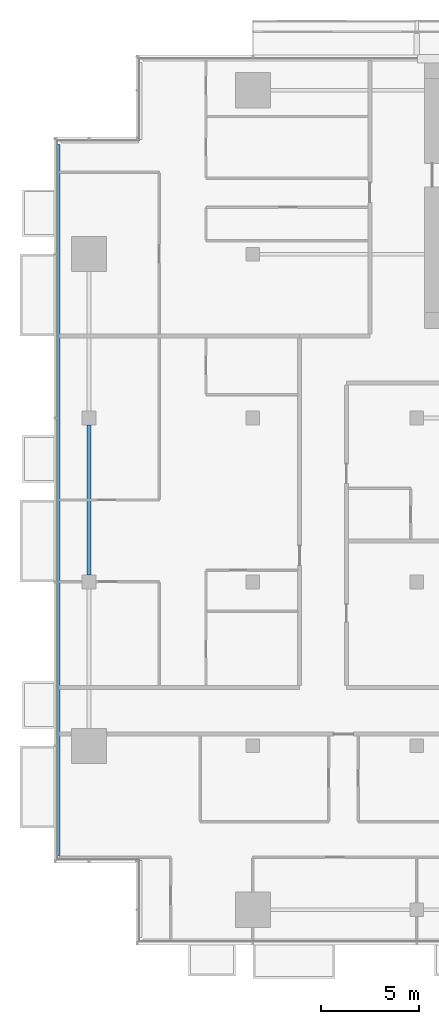
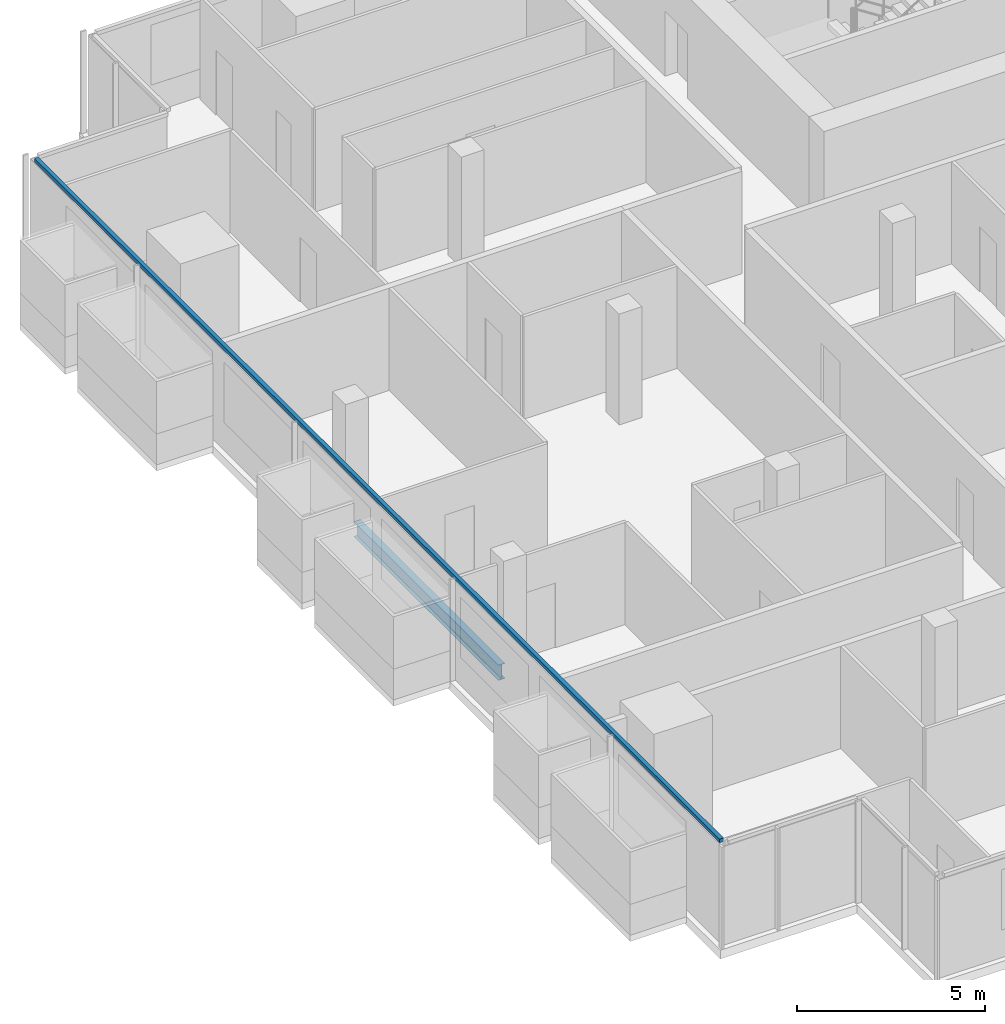
# One storey, part 3 of 28: 1 beam, 1 member, 1 element without a shape of its own.
"""IFC4 building model written with IfcOpenShell, lengths in metres."""

from ifc_helpers import new_model, si_unit, direction, frame, origin, origin_2d, place, context, subcontext, project, spatial, rectangle, i_section, extrude, material, material_profile, profile_set, type_object, element, aggregate, save


model = new_model("IFC4")

# Units and contexts
model_context = context("Model", 3, precision=1e-05, world=origin(), true_north=direction((0.0, 1.0)))
body_context = subcontext(model_context, "Body", "Model", "MODEL_VIEW")
ifc_project = project(units=[si_unit("LENGTHUNIT", "METRE"), si_unit("AREAUNIT", "SQUARE_METRE"), si_unit("VOLUMEUNIT", "CUBIC_METRE"), si_unit("PLANEANGLEUNIT", "RADIAN"), si_unit("MASSUNIT", "GRAM", prefix="KILO")], contexts=[model_context])

# Site, building, storey
site_placement = place(None, origin())
site = spatial("IfcSite", under=ifc_project, at=site_placement, CompositionType="ELEMENT")
building_placement = place(site_placement, origin())
building = spatial("IfcBuilding", under=site, at=building_placement, Name="Saffron Gate Tower", CompositionType="ELEMENT")
storey_placement = place(building_placement, frame((0.0, 0.0, 154.64990234375)))
storey = spatial("IfcBuildingStorey", under=building, at=storey_placement, Name="L37", CompositionType="ELEMENT", Elevation=154.64990234375)

# Beam
ifc_material_1 = material(Name="Structural steel S355", Category="steel")
ifc_material_profile_1 = material_profile(ifc_material_1, i_section(OverallWidth=0.199951171875, OverallDepth=0.5, WebThickness=0.01025390625, FlangeThickness=0.01611328125, FilletRadius=0.02099609375, at=origin_2d()))
ifc_profile_set_1 = profile_set([ifc_material_profile_1], Name="Structural steel S355")
beam_type = type_object("IfcBeamType", Name="B11 IPE 500", PredefinedType="SPANDREL", material=ifc_profile_set_1)
beam_placement = place(storey_placement, frame((49.800048828125, 48.949951171875, -0.52978515625), z_axis=(0.0, 1.0, 0.0), x_axis=(-1.0, 0.0, 0.0)))
element("IfcBeam", 1, at=beam_placement, inside=storey, type_object=beam_type, Name="B11 SPANDREL BEAM", PredefinedType="SPANDREL", context=body_context, shape_type="SweptSolid", body=[
    extrude(i_section(OverallWidth=0.199951171875, OverallDepth=0.5, WebThickness=0.01025390625, FlangeThickness=0.01611328125, FilletRadius=0.02099609375, at=origin_2d()), origin(), (0.0, 0.0, 1.0), 7.699951171875),
])

# Curtain wall, member
ifc_material_2 = material(Name="Aluminium, bronze anodised", Category="aluminium")
curtain_wall_type = type_object("IfcCurtainWallType", Name="CWS2 curtain wall side facades", PredefinedType="NOTDEFINED", material=ifc_material_2)
curtain_wall_placement = place(storey_placement, origin())
curtain_wall = element("IfcCurtainWall", 2, at=curtain_wall_placement, inside=storey, type_object=curtain_wall_type, Name="CWS2 run 10", PredefinedType="NOTDEFINED")
ifc_material_profile_2 = material_profile(ifc_material_2, rectangle(XDim=0.1201171875, YDim=0.1201171875, at=origin_2d()))
ifc_profile_set_2 = profile_set([ifc_material_profile_2], Name="Aluminium, bronze anodised")
member_type = type_object("IfcMemberType", Name="CWS2 head transom", PredefinedType="USERDEFINED", material=ifc_profile_set_2)
member_placement = place(storey_placement, frame((48.248046875, 71.031982421875, 3.260009765625), z_axis=(0.0, -1.0, 0.0), x_axis=(1.0, 0.0, 0.0)))
member = element("IfcMember", 3, at=member_placement, type_object=member_type, Name="CWS2 head transom", ObjectType="TRANSOM", PredefinedType="USERDEFINED", context=body_context, shape_type="SweptSolid", body=[
    extrude(rectangle(XDim=0.1201171875, YDim=0.1201171875, at=origin_2d()), origin(), (0.0, 0.0, 1.0), 36.4638671875),
])
aggregate(curtain_wall, [member])

save(model, "model.ifc")
